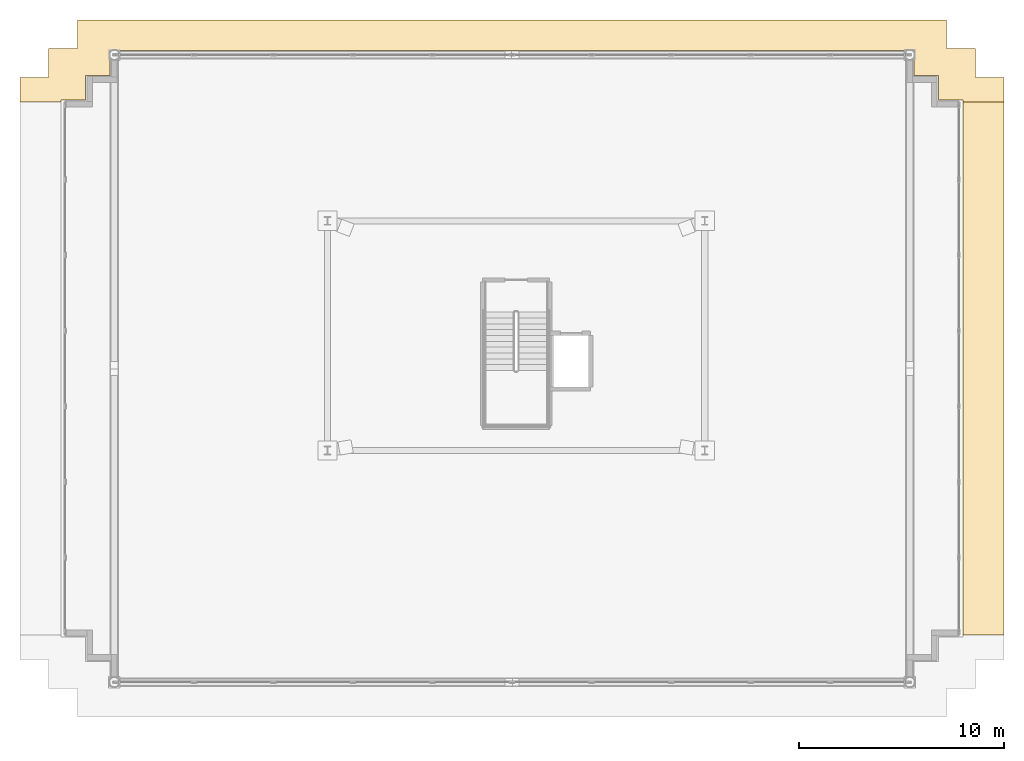
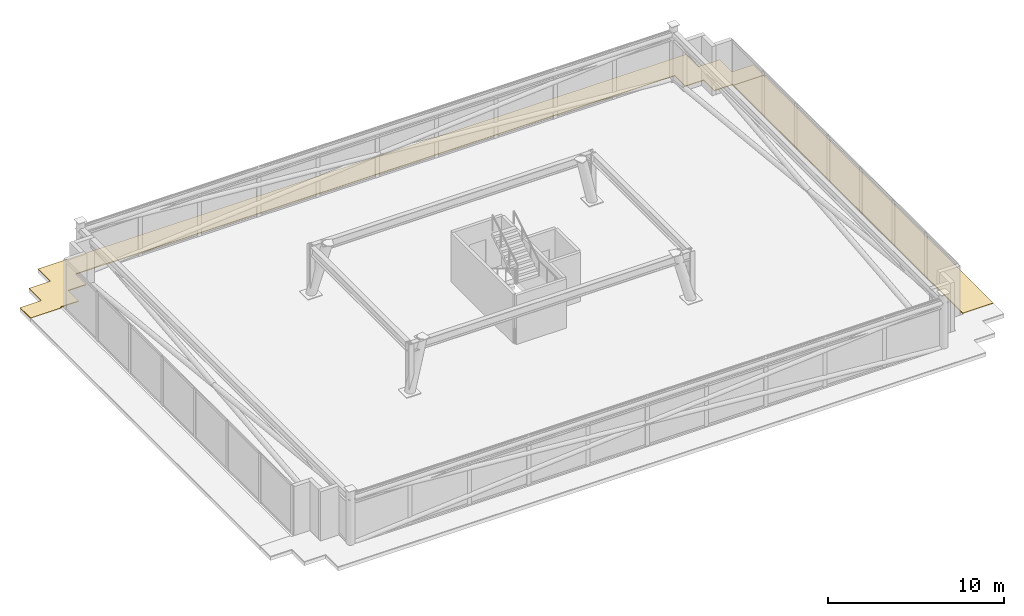
# One storey, part 23 of 23: 2 coverings.
"""IFC4 building model written with IfcOpenShell, lengths in metres."""

from ifc_helpers import new_model, si_unit, direction, frame, origin, place, context, subcontext, project, spatial, polyline, outline, extrude, material, layer, layer_set, type_object, element, save


model = new_model("IFC4")

# Units and contexts
model_context = context("Model", 3, precision=1e-05, world=origin(), true_north=direction((0.0, 1.0)))
body_context = subcontext(model_context, "Body", "Model", "MODEL_VIEW")
ifc_project = project(units=[si_unit("LENGTHUNIT", "METRE"), si_unit("AREAUNIT", "SQUARE_METRE"), si_unit("VOLUMEUNIT", "CUBIC_METRE"), si_unit("PLANEANGLEUNIT", "RADIAN"), si_unit("MASSUNIT", "GRAM", prefix="KILO")], contexts=[model_context])

# Site, building, storey
site_placement = place(None, origin())
site = spatial("IfcSite", under=ifc_project, at=site_placement, CompositionType="ELEMENT")
building_placement = place(site_placement, origin())
building = spatial("IfcBuilding", under=site, at=building_placement, Name="Qobustan Lattice House", CompositionType="ELEMENT")
storey_placement = place(building_placement, frame((0.0, 0.0, 270.199951171875)))
storey = spatial("IfcBuildingStorey", under=building, at=storey_placement, Name="L76", CompositionType="ELEMENT", Elevation=270.199951171875)

# Coverings
ifc_material = material(Name="Insulated stone-ballasted roof membrane", Category="masonry")
ifc_layer = layer(ifc_material, 0.050048828125)
ifc_layer_set = layer_set([ifc_layer], Name="Insulated stone-ballasted roof membrane")
covering_type = type_object("IfcCoveringType", Name="COV-ROOF-MEMB", PredefinedType="ROOFING", material=ifc_layer_set)
covering_1_placement = place(storey_placement, origin())
element("IfcCovering", 1, at=covering_1_placement, inside=storey, type_object=covering_type, Name="L76 crown step roof membrane 2", PredefinedType="ROOFING", context=body_context, shape_type="SweptSolid", body=[
    extrude(outline(polyline([(-24.199951171875, 11.39990234375), (-22.199951171875, 11.39990234375), (-22.199951171875, 11.5), (-21.0, 11.5), (-21.0, 12.699951171875), (-19.800048828125, 12.699951171875), (-19.800048828125, 13.89990234375), (19.39990234375, 13.89990234375), (19.39990234375, 12.699951171875), (20.60009765625, 12.699951171875), (20.60009765625, 11.5), (21.800048828125, 11.5), (21.800048828125, 11.39990234375), (23.800048828125, 11.39990234375), (23.800048828125, 12.60009765625), (22.39990234375, 12.60009765625), (22.39990234375, 14.0), (21.0, 14.0), (21.0, 15.39990234375), (-21.39990234375, 15.39990234375), (-21.39990234375, 14.0), (-22.800048828125, 14.0), (-22.800048828125, 12.60009765625), (-24.199951171875, 12.60009765625), (-24.199951171875, 11.39990234375)])), origin(), (0.0, 0.0, 1.0), 0.050048828125),
])
covering_2_placement = place(storey_placement, origin())
element("IfcCovering", 2, at=covering_2_placement, inside=storey, type_object=covering_type, Name="L76 crown step roof membrane 4", PredefinedType="ROOFING", context=body_context, shape_type="SweptSolid", body=[
    extrude(outline(polyline([(23.800048828125, 11.39990234375), (21.800048828125, 11.39990234375), (21.800048828125, -14.60009765625), (23.800048828125, -14.60009765625), (23.800048828125, 11.39990234375)])), origin(), (0.0, 0.0, 1.0), 0.050048828125),
])

save(model, "model.ifc")
